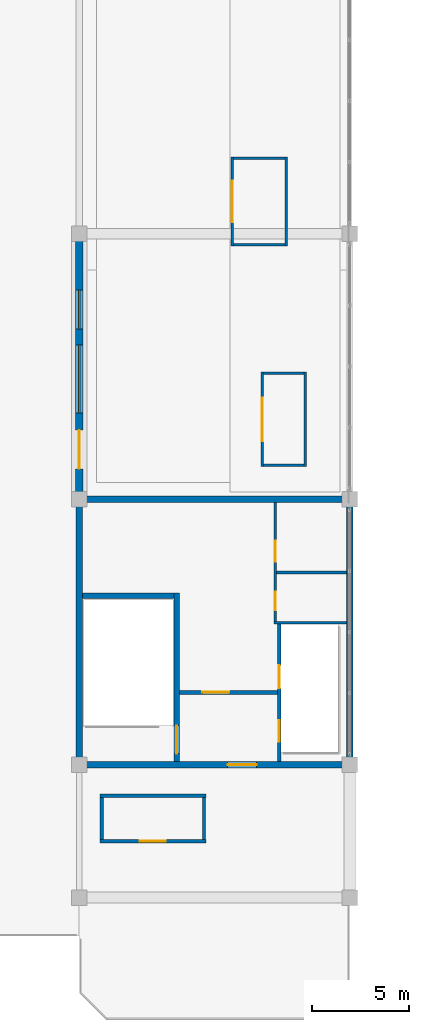
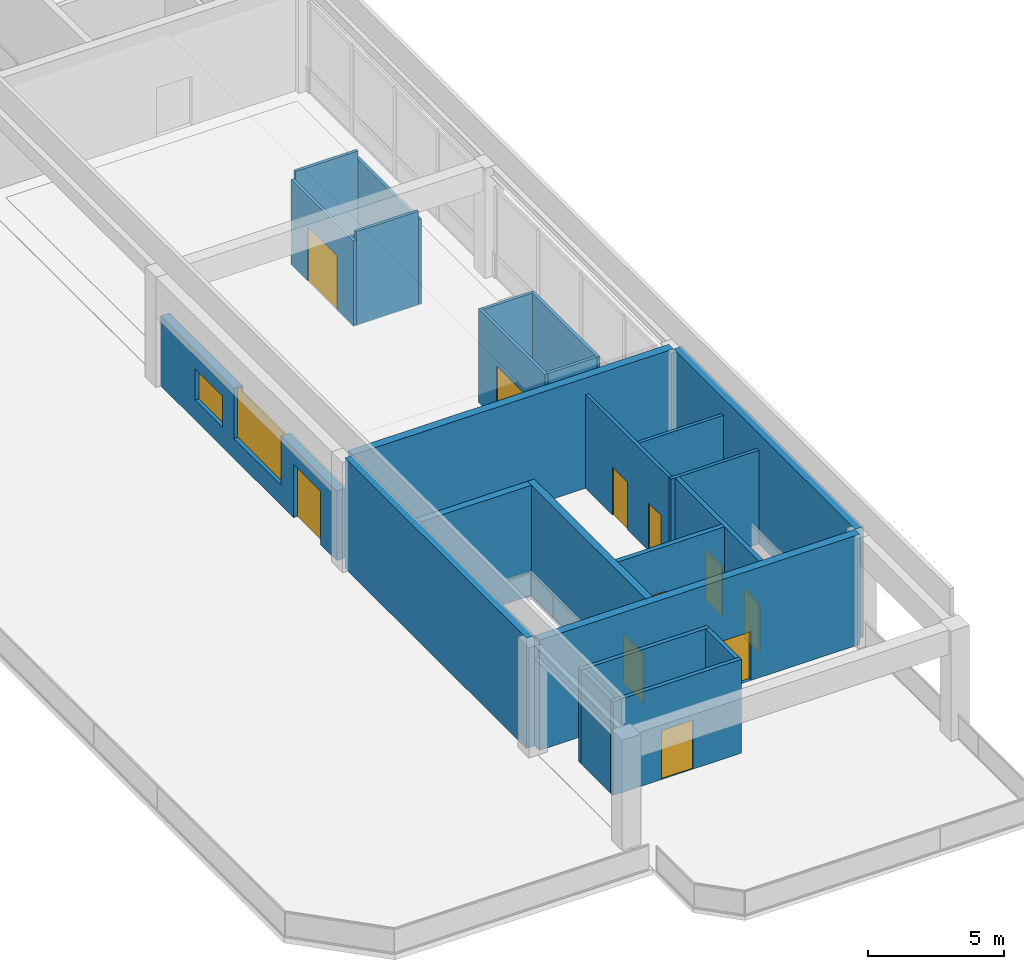
# One storey, part 99 of 113: 24 walls, 11 doors, 2 windows, 13 openings.
"""IFC4 building model written with IfcOpenShell, lengths in metres."""

from ifc_helpers import new_model, si_unit, direction, frame, frame_2d, origin, place, context, subcontext, project, spatial, rectangle, extrude, material, layer, layer_set, type_object, element, fill, save


model = new_model("IFC4")

# Units and contexts
model_context = context("Model", 3, precision=1e-05, world=origin(), true_north=direction((0.0, 1.0)))
body_context = subcontext(model_context, "Body", "Model", "MODEL_VIEW")
ifc_project = project(units=[si_unit("LENGTHUNIT", "METRE"), si_unit("AREAUNIT", "SQUARE_METRE"), si_unit("VOLUMEUNIT", "CUBIC_METRE"), si_unit("PLANEANGLEUNIT", "RADIAN"), si_unit("MASSUNIT", "GRAM", prefix="KILO")], contexts=[model_context])

# Site, building, storey
site_placement = place(None, origin())
site = spatial("IfcSite", under=ifc_project, at=site_placement, CompositionType="ELEMENT")
building_placement = place(site_placement, origin())
building = spatial("IfcBuilding", under=site, at=building_placement, Name="Linyun Crest Stadium", CompositionType="ELEMENT")
storey_placement = place(building_placement, frame((0.0, 0.0, 26.39990234375)))
storey = spatial("IfcBuildingStorey", under=building, at=storey_placement, Name="L06", CompositionType="ELEMENT", Elevation=26.39990234375)

# Walls
ifc_material_1 = material(Name="Concrete C50", Category="concrete")
ifc_layer_1 = layer(ifc_material_1, 0.35009765625)
ifc_layer_set_1 = layer_set([ifc_layer_1], Name="Concrete C50")
wall_type_1 = type_object("IfcWallType", Name="CW01", PredefinedType="SHEAR", material=ifc_layer_set_1)
for number, where, z_axis, x_axis, name in (
    (1, (-84.0, -38.949951171875, 0.0), (0.0, 0.0, 1.0), (0.0, 1.0, 0.0), "Core shear wall CW01 CORE-W1 L06.1"),
    (2, (-70.0, -38.949951171875, 0.0), (0.0, 0.0, 1.0), (0.0, 1.0, 0.0), "Core shear wall CW01 CORE-W1 L06.2"),
):
    element("IfcWall", number, at=place(storey_placement, frame(where, z_axis=z_axis, x_axis=x_axis)), inside=storey, type_object=wall_type_1, Name=name, PredefinedType="SHEAR", context=body_context, shape_type="SweptSolid", body=[
        extrude(rectangle(XDim=13.39990234375, YDim=0.35009765625, at=frame_2d((6.699951171875, 0.0))), origin(), (0.0, 0.0, 1.0), 4.965087890625),
    ])

# Wall, opening, door
wall_1_placement = place(storey_placement, frame((-83.824951171875, -39.125, 0.0), z_axis=(0.0, 0.0, 1.0), x_axis=(1.0, 0.0, 0.0)))
wall_1 = element("IfcWall", 3, at=wall_1_placement, inside=storey, type_object=wall_type_1, Name="Core shear wall CW01 CORE-W1 L06.3", PredefinedType="SHEAR", context=body_context, shape_type="SweptSolid", body=[
    extrude(rectangle(XDim=13.64990234375, YDim=0.35009765625, at=frame_2d((6.824951171875, 0.0))), origin(), (0.0, 0.0, 1.0), 4.965087890625),
])
opening_1_placement = place(wall_1_placement, frame((7.508056640625, 0.0, 0.0)))
opening_1 = element("IfcOpeningElement", 4, at=opening_1_placement, cuts=wall_1, Name="Opening D-L06-043", PredefinedType="OPENING", context=body_context, shape_type="SweptSolid", body=[
    extrude(rectangle(XDim=1.5, YDim=2.199951171875, at=frame_2d((0.75, 1.10009765625))), frame((0.0, 0.18505859375, 0.0), z_axis=(0.0, -1.0, 0.0), x_axis=(1.0, 0.0, 0.0)), (0.0, 0.0, 1.0), 0.3701171875),
])
ifc_material_2 = material(Name="Galvanized steel Class A fire door", Category="steel")
ifc_layer_2 = layer(ifc_material_2, 0.054931640625)
ifc_layer_set_2 = layer_set([ifc_layer_2], Name="Galvanized steel Class A fire door")
door_type_1 = type_object("IfcDoorType", Name="FD01", OperationType="NOTDEFINED", PredefinedType="DOOR", material=ifc_layer_set_2)
door_1_placement = place(opening_1_placement, origin())
door_1 = element("IfcDoor", 5, at=door_1_placement, inside=storey, type_object=door_type_1, Name="Door D-L06-043", OperationType="SINGLE_SWING_LEFT", OverallHeight=2.199951171875, OverallWidth=1.5, PredefinedType="DOOR", context=body_context, shape_type="SweptSolid", body=[
    extrude(rectangle(XDim=1.5, YDim=2.199951171875, at=frame_2d((0.75, 1.10009765625))), frame((0.0, 0.02490234375, 0.0), z_axis=(0.0, -1.0, 0.0), x_axis=(1.0, 0.0, 0.0)), (0.0, 0.0, 1.0), 0.050048828125),
])
fill(opening_1, door_1)

# Wall
wall_2_placement = place(storey_placement, frame((-83.824951171875, -25.375, 0.0), z_axis=(0.0, 0.0, 1.0), x_axis=(1.0, 0.0, 0.0)))
element("IfcWall", 6, at=wall_2_placement, inside=storey, type_object=wall_type_1, Name="Core shear wall CW01 CORE-W1 L06.4", PredefinedType="SHEAR", context=body_context, shape_type="SweptSolid", body=[
    extrude(rectangle(XDim=13.64990234375, YDim=0.35009765625, at=frame_2d((6.824951171875, 0.0))), origin(), (0.0, 0.0, 1.0), 4.965087890625),
])

# Wall, openings, door, windows
ifc_material_3 = material(Name="Concrete C40 acoustic broadcast envelope wall", Category="concrete")
ifc_layer_3 = layer(ifc_material_3, 0.389892578125)
ifc_layer_set_3 = layer_set([ifc_layer_3], Name="Concrete C40 acoustic broadcast envelope wall")
wall_type_2 = type_object("IfcWallType", Name="EW07", PredefinedType="SOLIDWALL", material=ifc_layer_set_3)
wall_3_placement = place(storey_placement, frame((-84.0, -25.0, 0.0), z_axis=(0.0, 0.0, 1.0), x_axis=(0.0, 1.0, 0.0)))
wall_3 = element("IfcWall", 7, at=wall_3_placement, inside=storey, type_object=wall_type_2, Name="Exterior wall EW07 L06 71", PredefinedType="SOLIDWALL", context=body_context, shape_type="SweptSolid", body=[
    extrude(rectangle(XDim=13.0, YDim=0.389892578125, at=frame_2d((6.5, 0.0))), origin(), (0.0, 0.0, 1.0), 3.14013671875),
])
opening_2_placement = place(wall_3_placement, frame((1.199951171875, 0.0, 0.0)))
opening_2 = element("IfcOpeningElement", 8, at=opening_2_placement, cuts=wall_3, Name="Opening BD-L06-10", PredefinedType="OPENING", context=body_context, shape_type="SweptSolid", body=[
    extrude(rectangle(XDim=2.0, YDim=2.39990234375, at=frame_2d((1.0, 1.199951171875))), frame((0.0, 0.204833984375, 0.0), z_axis=(0.0, -1.0, 0.0), x_axis=(1.0, 0.0, 0.0)), (0.0, 0.0, 1.0), 0.409912109375),
])
opening_3_placement = place(wall_3_placement, frame((4.10009765625, 0.0, 0.89990234375)))
opening_3 = element("IfcOpeningElement", 9, at=opening_3_placement, cuts=wall_3, Name="Opening WN11", PredefinedType="OPENING", context=body_context, shape_type="SweptSolid", body=[
    extrude(rectangle(XDim=3.5, YDim=2.25, at=frame_2d((1.75, 1.125))), frame((0.0, 0.204833984375, 0.0), z_axis=(0.0, -1.0, 0.0), x_axis=(1.0, 0.0, 0.0)), (0.0, 0.0, 1.0), 0.409912109375),
])
opening_4_placement = place(wall_3_placement, frame((8.449951171875, 0.0, 0.89990234375)))
opening_4 = element("IfcOpeningElement", 10, at=opening_4_placement, cuts=wall_3, Name="Opening WN12", PredefinedType="OPENING", context=body_context, shape_type="SweptSolid", body=[
    extrude(rectangle(XDim=2.0, YDim=1.39990234375, at=frame_2d((1.0, 0.699951171875))), frame((0.0, 0.204833984375, 0.0), z_axis=(0.0, -1.0, 0.0), x_axis=(1.0, 0.0, 0.0)), (0.0, 0.0, 1.0), 0.409912109375),
])
ifc_material_4 = material(Name="Thermally broken aluminium and low-E glass", Category="aluminium")
ifc_layer_4 = layer(ifc_material_4, 0.054931640625)
ifc_layer_set_4 = layer_set([ifc_layer_4], Name="Thermally broken aluminium and low-E glass")
door_type_2 = type_object("IfcDoorType", Name="BD02", OperationType="NOTDEFINED", PredefinedType="DOOR", material=ifc_layer_set_4)
door_2_placement = place(opening_2_placement, origin())
door_2 = element("IfcDoor", 11, at=door_2_placement, inside=storey, type_object=door_type_2, Name="Terrace door BD-L06-10", OperationType="SINGLE_SWING_RIGHT", OverallHeight=2.39990234375, OverallWidth=2.0, PredefinedType="DOOR", context=body_context, shape_type="SweptSolid", body=[
    extrude(rectangle(XDim=2.0, YDim=2.39990234375, at=frame_2d((1.0, 1.199951171875))), frame((0.0, 0.02490234375, 0.0), z_axis=(0.0, -1.0, 0.0), x_axis=(1.0, 0.0, 0.0)), (0.0, 0.0, 1.0), 0.050048828125),
])
fill(opening_2, door_2)
ifc_material_5 = material(Name="Broadcast acoustic laminated triple glazing", Category="glass")
ifc_layer_5 = layer(ifc_material_5, 0.06494140625)
ifc_layer_set_5 = layer_set([ifc_layer_5], Name="Broadcast acoustic laminated triple glazing")
window_type_1 = type_object("IfcWindowType", Name="WN11", PartitioningType="SINGLE_PANEL", PredefinedType="WINDOW", material=ifc_layer_set_5)
window_1_placement = place(opening_3_placement, origin())
window_1 = element("IfcWindow", 12, at=window_1_placement, inside=storey, type_object=window_type_1, Name="Window WN11 L06 47", OverallHeight=2.25, OverallWidth=3.5, PartitioningType="SINGLE_PANEL", PredefinedType="WINDOW", context=body_context, shape_type="SweptSolid", body=[
    extrude(rectangle(XDim=3.5, YDim=2.25, at=frame_2d((1.75, 1.125))), frame((0.0, 0.030029296875, 0.0), z_axis=(0.0, -1.0, 0.0), x_axis=(1.0, 0.0, 0.0)), (0.0, 0.0, 1.0), 0.06005859375),
])
fill(opening_3, window_1)
ifc_material_6 = material(Name="Clerestory diffused daylight window")
ifc_layer_6 = layer(ifc_material_6, 0.06005859375)
ifc_layer_set_6 = layer_set([ifc_layer_6], Name="Clerestory diffused daylight window")
window_type_2 = type_object("IfcWindowType", Name="WN12", PartitioningType="SINGLE_PANEL", PredefinedType="WINDOW", material=ifc_layer_set_6)
window_2_placement = place(opening_4_placement, origin())
window_2 = element("IfcWindow", 13, at=window_2_placement, inside=storey, type_object=window_type_2, Name="Window WN12 L06 48", OverallHeight=1.39990234375, OverallWidth=2.0, PartitioningType="SINGLE_PANEL", PredefinedType="WINDOW", context=body_context, shape_type="SweptSolid", body=[
    extrude(rectangle(XDim=2.0, YDim=1.39990234375, at=frame_2d((1.0, 0.699951171875))), frame((0.0, 0.030029296875, 0.0), z_axis=(0.0, -1.0, 0.0), x_axis=(1.0, 0.0, 0.0)), (0.0, 0.0, 1.0), 0.06005859375),
])
fill(opening_4, window_2)

# Wall, opening, door
ifc_material_7 = material(Name="Autoclaved aerated concrete block with fireboard", Category="concrete")
ifc_layer_7 = layer(ifc_material_7, 0.199951171875)
ifc_layer_set_7 = layer_set([ifc_layer_7], Name="Autoclaved aerated concrete block with fireboard")
wall_type_3 = type_object("IfcWallType", Name="PW11", PredefinedType="PARTITIONING", material=ifc_layer_set_7)
wall_4_placement = place(storey_placement, frame((-78.800048828125, -35.375, 0.0), z_axis=(0.0, 0.0, 1.0), x_axis=(1.0, 0.0, 0.0)))
wall_4 = element("IfcWall", 14, at=wall_4_placement, inside=storey, type_object=wall_type_3, Name="Partition PW11 L06 19", PredefinedType="PARTITIONING", context=body_context, shape_type="SweptSolid", body=[
    extrude(rectangle(XDim=5.06005859375, YDim=0.199951171875, at=frame_2d((2.530029296875, 0.0))), origin(), (0.0, 0.0, 1.0), 4.22021484375),
])
opening_5_placement = place(wall_4_placement, frame((1.169921875, 0.0, 0.0)))
opening_5 = element("IfcOpeningElement", 15, at=opening_5_placement, cuts=wall_4, Name="Opening D-L06-045", PredefinedType="OPENING", context=body_context, shape_type="SweptSolid", body=[
    extrude(rectangle(XDim=1.39990234375, YDim=2.199951171875, at=frame_2d((0.699951171875, 1.10009765625))), frame((0.0, 0.10986328125, 0.0), z_axis=(0.0, -1.0, 0.0), x_axis=(1.0, 0.0, 0.0)), (0.0, 0.0, 1.0), 0.219970703125),
])
ifc_material_8 = material(Name="Galvanized steel Class B fire door", Category="steel")
ifc_layer_8 = layer(ifc_material_8, 0.054931640625)
ifc_layer_set_8 = layer_set([ifc_layer_8], Name="Galvanized steel Class B fire door")
door_type_3 = type_object("IfcDoorType", Name="FD03", OperationType="NOTDEFINED", PredefinedType="DOOR", material=ifc_layer_set_8)
door_3_placement = place(opening_5_placement, origin())
door_3 = element("IfcDoor", 16, at=door_3_placement, inside=storey, type_object=door_type_3, Name="Door D-L06-045", OperationType="SINGLE_SWING_LEFT", OverallHeight=2.199951171875, OverallWidth=1.39990234375, PredefinedType="DOOR", context=body_context, shape_type="SweptSolid", body=[
    extrude(rectangle(XDim=1.39990234375, YDim=2.199951171875, at=frame_2d((0.699951171875, 1.10009765625))), frame((0.0, 0.02490234375, 0.0), z_axis=(0.0, -1.0, 0.0), x_axis=(1.0, 0.0, 0.0)), (0.0, 0.0, 1.0), 0.050048828125),
])
fill(opening_5, door_3)

# Wall, openings, doors
ifc_material_9 = material(Name="Autoclaved aerated concrete block fire partition", Category="concrete")
ifc_layer_9 = layer(ifc_material_9, 0.179931640625)
ifc_layer_set_9 = layer_set([ifc_layer_9], Name="Autoclaved aerated concrete block fire partition")
wall_type_4 = type_object("IfcWallType", Name="PW12", PredefinedType="PARTITIONING", material=ifc_layer_set_9)
wall_5_placement = place(storey_placement, frame((-73.64990234375, -38.949951171875, 0.0), z_axis=(0.0, 0.0, 1.0), x_axis=(0.0, 1.0, 0.0)))
wall_5 = element("IfcWall", 17, at=wall_5_placement, inside=storey, type_object=wall_type_4, Name="Partition PW12 L06 20", PredefinedType="PARTITIONING", context=body_context, shape_type="SweptSolid", body=[
    extrude(rectangle(XDim=7.10498046875, YDim=0.179931640625, at=frame_2d((3.552490234375, 0.0))), origin(), (0.0, 0.0, 1.0), 4.22021484375),
])
opening_6_placement = place(wall_5_placement, frame((1.02490234375, 0.0, 0.0)))
opening_6 = element("IfcOpeningElement", 18, at=opening_6_placement, cuts=wall_5, Name="Opening LD013", PredefinedType="OPENING", context=body_context, shape_type="SweptSolid", body=[
    extrude(rectangle(XDim=1.10009765625, YDim=2.199951171875, at=frame_2d((0.550048828125, 1.10009765625))), frame((0.0, 0.099853515625, 0.0), z_axis=(0.0, -1.0, 0.0), x_axis=(1.0, 0.0, 0.0)), (0.0, 0.0, 1.0), 0.199951171875),
])
opening_7_placement = place(wall_5_placement, frame((3.77490234375, 0.0, 0.0)))
opening_7 = element("IfcOpeningElement", 19, at=opening_7_placement, cuts=wall_5, Name="Opening LD014", PredefinedType="OPENING", context=body_context, shape_type="SweptSolid", body=[
    extrude(rectangle(XDim=1.199951171875, YDim=2.25, at=frame_2d((0.60009765625, 1.125))), frame((0.0, 0.099853515625, 0.0), z_axis=(0.0, -1.0, 0.0), x_axis=(1.0, 0.0, 0.0)), (0.0, 0.0, 1.0), 0.199951171875),
])
ifc_material_10 = material(Name="Brushed stainless sliding lift door")
ifc_layer_10 = layer(ifc_material_10, 0.050048828125)
ifc_layer_set_10 = layer_set([ifc_layer_10], Name="Brushed stainless sliding lift door")
door_type_4 = type_object("IfcDoorType", Name="LD01", OperationType="NOTDEFINED", PredefinedType="DOOR", material=ifc_layer_set_10)
door_4_placement = place(opening_6_placement, origin())
door_4 = element("IfcDoor", 20, at=door_4_placement, inside=storey, type_object=door_type_4, Name="Lift landing door LD013", OperationType="DOUBLE_DOOR_SLIDING", OverallHeight=2.199951171875, OverallWidth=1.10009765625, PredefinedType="DOOR", context=body_context, shape_type="SweptSolid", body=[
    extrude(rectangle(XDim=1.10009765625, YDim=2.199951171875, at=frame_2d((0.550048828125, 1.10009765625))), frame((0.0, 0.02490234375, 0.0), z_axis=(0.0, -1.0, 0.0), x_axis=(1.0, 0.0, 0.0)), (0.0, 0.0, 1.0), 0.050048828125),
])
fill(opening_6, door_4)
ifc_material_11 = material(Name="Brushed stainless sliding lift door")
ifc_layer_11 = layer(ifc_material_11, 0.050048828125)
ifc_layer_set_11 = layer_set([ifc_layer_11], Name="Brushed stainless sliding lift door")
door_type_5 = type_object("IfcDoorType", Name="LD02", OperationType="NOTDEFINED", PredefinedType="DOOR", material=ifc_layer_set_11)
door_5_placement = place(opening_7_placement, origin())
door_5 = element("IfcDoor", 21, at=door_5_placement, inside=storey, type_object=door_type_5, Name="Lift landing door LD014", OperationType="DOUBLE_DOOR_SLIDING", OverallHeight=2.25, OverallWidth=1.199951171875, PredefinedType="DOOR", context=body_context, shape_type="SweptSolid", body=[
    extrude(rectangle(XDim=1.199951171875, YDim=2.25, at=frame_2d((0.60009765625, 1.125))), frame((0.0, 0.02490234375, 0.0), z_axis=(0.0, -1.0, 0.0), x_axis=(1.0, 0.0, 0.0)), (0.0, 0.0, 1.0), 0.050048828125),
])
fill(opening_7, door_5)

ifc_material_12 = material(Name="Moisture-resistant ceramic-tiled wet-room wall")
ifc_layer_12 = layer(ifc_material_12, 0.139892578125)
ifc_layer_set_12 = layer_set([ifc_layer_12], Name="Moisture-resistant ceramic-tiled wet-room wall")
wall_type_5 = type_object("IfcWallType", Name="PW15", PredefinedType="PARTITIONING", material=ifc_layer_set_12)
wall_6_placement = place(storey_placement, frame((-73.85009765625, -31.705078125, 0.0), z_axis=(0.0, 0.0, 1.0), x_axis=(0.0, 1.0, 0.0)))
wall_6 = element("IfcWall", 22, at=wall_6_placement, inside=storey, type_object=wall_type_5, Name="Partition PW15 L06 21", PredefinedType="PARTITIONING", context=body_context, shape_type="SweptSolid", body=[
    extrude(rectangle(XDim=6.155029296875, YDim=0.139892578125, at=frame_2d((3.07763671875, 0.0))), origin(), (0.0, 0.0, 1.0), 4.22021484375),
])
opening_8_placement = place(wall_6_placement, frame((0.580078125, 0.0, 0.0)))
opening_8 = element("IfcOpeningElement", 23, at=opening_8_placement, cuts=wall_6, Name="Opening D-L06-048", PredefinedType="OPENING", context=body_context, shape_type="SweptSolid", body=[
    extrude(rectangle(XDim=0.949951171875, YDim=2.14990234375, at=frame_2d((0.47509765625, 1.074951171875))), frame((0.0, 0.079833984375, 0.0), z_axis=(0.0, -1.0, 0.0), x_axis=(1.0, 0.0, 0.0)), (0.0, 0.0, 1.0), 0.159912109375),
])
opening_9_placement = place(wall_6_placement, frame((3.080078125, 0.0, 0.0)))
opening_9 = element("IfcOpeningElement", 24, at=opening_9_placement, cuts=wall_6, Name="Opening D-L06-049", PredefinedType="OPENING", context=body_context, shape_type="SweptSolid", body=[
    extrude(rectangle(XDim=1.10009765625, YDim=2.14990234375, at=frame_2d((0.550048828125, 1.074951171875))), frame((0.0, 0.079833984375, 0.0), z_axis=(0.0, -1.0, 0.0), x_axis=(1.0, 0.0, 0.0)), (0.0, 0.0, 1.0), 0.159912109375),
])
ifc_material_13 = material(Name="Moisture-resistant laminate leaf")
ifc_layer_13 = layer(ifc_material_13, 0.044921875)
ifc_layer_set_13 = layer_set([ifc_layer_13], Name="Moisture-resistant laminate leaf")
door_type_6 = type_object("IfcDoorType", Name="ID02", OperationType="NOTDEFINED", PredefinedType="DOOR", material=ifc_layer_set_13)
door_6_placement = place(opening_8_placement, origin())
door_6 = element("IfcDoor", 25, at=door_6_placement, inside=storey, type_object=door_type_6, Name="Door D-L06-048", OperationType="SINGLE_SWING_RIGHT", OverallHeight=2.14990234375, OverallWidth=0.949951171875, PredefinedType="DOOR", context=body_context, shape_type="SweptSolid", body=[
    extrude(rectangle(XDim=0.949951171875, YDim=2.14990234375, at=frame_2d((0.47509765625, 1.074951171875))), frame((0.0, 0.02490234375, 0.0), z_axis=(0.0, -1.0, 0.0), x_axis=(1.0, 0.0, 0.0)), (0.0, 0.0, 1.0), 0.050048828125),
])
fill(opening_8, door_6)
ifc_material_14 = material(Name="Moisture-resistant laminate leaf")
ifc_layer_14 = layer(ifc_material_14, 0.044921875)
ifc_layer_set_14 = layer_set([ifc_layer_14], Name="Moisture-resistant laminate leaf")
door_type_7 = type_object("IfcDoorType", Name="ID03", OperationType="NOTDEFINED", PredefinedType="DOOR", material=ifc_layer_set_14)
door_7_placement = place(opening_9_placement, origin())
door_7 = element("IfcDoor", 26, at=door_7_placement, inside=storey, type_object=door_type_7, Name="Door D-L06-049", OperationType="SINGLE_SWING_LEFT", OverallHeight=2.14990234375, OverallWidth=1.10009765625, PredefinedType="DOOR", context=body_context, shape_type="SweptSolid", body=[
    extrude(rectangle(XDim=1.10009765625, YDim=2.14990234375, at=frame_2d((0.550048828125, 1.074951171875))), frame((0.0, 0.02490234375, 0.0), z_axis=(0.0, -1.0, 0.0), x_axis=(1.0, 0.0, 0.0)), (0.0, 0.0, 1.0), 0.050048828125),
])
fill(opening_9, door_7)

# Walls
wall_7_placement = place(storey_placement, frame((-73.919921875, -31.77490234375, 0.0), z_axis=(0.0, 0.0, 1.0), x_axis=(1.0, 0.0, 0.0)))
element("IfcWall", 27, at=wall_7_placement, inside=storey, type_object=wall_type_5, Name="Enclosure partition PW15 L06 13", PredefinedType="PARTITIONING", context=body_context, shape_type="SweptSolid", body=[
    extrude(rectangle(XDim=3.744873046875, YDim=0.139892578125, at=frame_2d((1.87255859375, 0.0))), origin(), (0.0, 0.0, 1.0), 4.22021484375),
])
wall_8_placement = place(storey_placement, frame((-73.780029296875, -29.175048828125, 0.0), z_axis=(0.0, 0.0, 1.0), x_axis=(1.0, 0.0, 0.0)))
element("IfcWall", 28, at=wall_8_placement, inside=storey, type_object=wall_type_5, Name="Enclosure partition PW15 L06 14", PredefinedType="PARTITIONING", context=body_context, shape_type="SweptSolid", body=[
    extrude(rectangle(XDim=3.60498046875, YDim=0.139892578125, at=frame_2d((1.802490234375, 0.0))), origin(), (0.0, 0.0, 1.0), 4.22021484375),
])

# Wall, opening, door
ifc_material_15 = material(Name="Steel-stud hospitality suite partition", Category="steel")
ifc_layer_15 = layer(ifc_material_15, 0.125)
ifc_layer_set_15 = layer_set([ifc_layer_15], Name="Steel-stud hospitality suite partition")
wall_type_6 = type_object("IfcWallType", Name="PW17", PredefinedType="PARTITIONING", material=ifc_layer_set_15)
wall_9_placement = place(storey_placement, frame((-76.073974609375, -12.263916015625, 0.0), z_axis=(0.0, 0.0, 1.0), x_axis=(0.0, 1.0, 0.0)))
wall_9 = element("IfcWall", 29, at=wall_9_placement, inside=storey, type_object=wall_type_6, Name="Partition PW17 L06 248", PredefinedType="PARTITIONING", context=body_context, shape_type="SweptSolid", body=[
    extrude(rectangle(XDim=4.599853515625, YDim=0.125, at=frame_2d((2.2998046875, 0.0))), origin(), (0.0, 0.0, 1.0), 3.840087890625),
])
opening_10_placement = place(wall_9_placement, frame((1.22509765625, 0.0, 0.0)))
opening_10 = element("IfcOpeningElement", 30, at=opening_10_placement, cuts=wall_9, Name="Opening D-L06-511", PredefinedType="OPENING", context=body_context, shape_type="SweptSolid", body=[
    extrude(rectangle(XDim=2.14990234375, YDim=2.449951171875, at=frame_2d((1.074951171875, 1.22509765625))), frame((0.0, 0.072509765625, 0.0), z_axis=(0.0, -1.0, 0.0), x_axis=(1.0, 0.0, 0.0)), (0.0, 0.0, 1.0), 0.14501953125),
])
ifc_material_16 = material(Name="Anodized aluminium retail door", Category="aluminium")
ifc_layer_16 = layer(ifc_material_16, 0.054931640625)
ifc_layer_set_16 = layer_set([ifc_layer_16], Name="Anodized aluminium retail door")
door_type_8 = type_object("IfcDoorType", Name="ID18", OperationType="NOTDEFINED", PredefinedType="DOOR", material=ifc_layer_set_16)
door_8_placement = place(opening_10_placement, origin())
door_8 = element("IfcDoor", 31, at=door_8_placement, inside=storey, type_object=door_type_8, Name="Door D-L06-511", OperationType="DOUBLE_DOOR_SINGLE_SWING", OverallHeight=2.449951171875, OverallWidth=2.14990234375, PredefinedType="DOOR", context=body_context, shape_type="SweptSolid", body=[
    extrude(rectangle(XDim=2.14990234375, YDim=2.449951171875, at=frame_2d((1.074951171875, 1.22509765625))), frame((0.0, 0.02490234375, 0.0), z_axis=(0.0, -1.0, 0.0), x_axis=(1.0, 0.0, 0.0)), (0.0, 0.0, 1.0), 0.050048828125),
])
fill(opening_10, door_8)

# Walls
wall_10_placement = place(storey_placement, frame((-73.2939453125, -12.263916015625, 0.0), z_axis=(0.0, 0.0, 1.0), x_axis=(0.0, 1.0, 0.0)))
element("IfcWall", 32, at=wall_10_placement, inside=storey, type_object=wall_type_6, Name="Enclosure partition PW17 L06 460", PredefinedType="PARTITIONING", context=body_context, shape_type="SweptSolid", body=[
    extrude(rectangle(XDim=4.599853515625, YDim=0.125, at=frame_2d((2.2998046875, 0.0))), origin(), (0.0, 0.0, 1.0), 3.840087890625),
])
for number, where, z_axis, x_axis, name in (
    (33, (-76.010986328125, -12.200927734375, 0.0), (0.0, 0.0, 1.0), (1.0, 0.0, 0.0), "Enclosure partition PW17 L06 461"),
    (34, (-76.010986328125, -7.72705078125, 0.0), (0.0, 0.0, 1.0), (1.0, 0.0, 0.0), "Enclosure partition PW17 L06 462"),
):
    element("IfcWall", number, at=place(storey_placement, frame(where, z_axis=z_axis, x_axis=x_axis)), inside=storey, type_object=wall_type_6, Name=name, PredefinedType="PARTITIONING", context=body_context, shape_type="SweptSolid", body=[
        extrude(rectangle(XDim=2.654052734375, YDim=0.125, at=frame_2d((1.3271484375, 0.0))), origin(), (0.0, 0.0, 1.0), 4.22021484375),
    ])

# Wall, opening, door
ifc_material_17 = material(Name="Acoustic commentary booth partition")
ifc_layer_17 = layer(ifc_material_17, 0.1298828125)
ifc_layer_set_17 = layer_set([ifc_layer_17], Name="Acoustic commentary booth partition")
wall_type_7 = type_object("IfcWallType", Name="PW22", PredefinedType="PARTITIONING", material=ifc_layer_set_17)
wall_11_placement = place(storey_placement, frame((-74.51708984375, -23.68603515625, 0.0), z_axis=(0.0, 0.0, 1.0), x_axis=(0.0, 1.0, 0.0)))
wall_11 = element("IfcWall", 35, at=wall_11_placement, inside=storey, type_object=wall_type_7, Name="Partition PW22 L06 240", PredefinedType="PARTITIONING", context=body_context, shape_type="SweptSolid", body=[
    extrude(rectangle(XDim=4.89013671875, YDim=0.1298828125, at=frame_2d((2.445068359375, 0.0))), origin(), (0.0, 0.0, 1.0), 4.22021484375),
])
opening_11_placement = place(wall_11_placement, frame((1.320068359375, 0.0, 0.0)))
opening_11 = element("IfcOpeningElement", 36, at=opening_11_placement, cuts=wall_11, Name="Opening D-L06-503", PredefinedType="OPENING", context=body_context, shape_type="SweptSolid", body=[
    extrude(rectangle(XDim=2.25, YDim=2.449951171875, at=frame_2d((1.125, 1.22509765625))), frame((0.0, 0.074951171875, 0.0), z_axis=(0.0, -1.0, 0.0), x_axis=(1.0, 0.0, 0.0)), (0.0, 0.0, 1.0), 0.14990234375),
])
ifc_material_18 = material(Name="Double-leaf anodized aluminium door", Category="aluminium")
ifc_layer_18 = layer(ifc_material_18, 0.054931640625)
ifc_layer_set_18 = layer_set([ifc_layer_18], Name="Double-leaf anodized aluminium door")
door_type_9 = type_object("IfcDoorType", Name="ID10", OperationType="NOTDEFINED", PredefinedType="DOOR", material=ifc_layer_set_18)
door_9_placement = place(opening_11_placement, origin())
door_9 = element("IfcDoor", 37, at=door_9_placement, inside=storey, type_object=door_type_9, Name="Door D-L06-503", OperationType="DOUBLE_DOOR_SINGLE_SWING", OverallHeight=2.449951171875, OverallWidth=2.25, PredefinedType="DOOR", context=body_context, shape_type="SweptSolid", body=[
    extrude(rectangle(XDim=2.25, YDim=2.449951171875, at=frame_2d((1.125, 1.22509765625))), frame((0.0, 0.02490234375, 0.0), z_axis=(0.0, -1.0, 0.0), x_axis=(1.0, 0.0, 0.0)), (0.0, 0.0, 1.0), 0.050048828125),
])
fill(opening_11, door_9)

# Walls
wall_12_placement = place(storey_placement, frame((-72.297119140625, -23.68603515625, 0.0), z_axis=(0.0, 0.0, 1.0), x_axis=(0.0, 1.0, 0.0)))
element("IfcWall", 38, at=wall_12_placement, inside=storey, type_object=wall_type_7, Name="Enclosure partition PW22 L06 436", PredefinedType="PARTITIONING", context=body_context, shape_type="SweptSolid", body=[
    extrude(rectangle(XDim=4.89013671875, YDim=0.1298828125, at=frame_2d((2.445068359375, 0.0))), origin(), (0.0, 0.0, 1.0), 4.22021484375),
])
for number, where, z_axis, x_axis, name in (
    (39, (-74.451904296875, -23.62109375, 0.0), (0.0, 0.0, 1.0), (1.0, 0.0, 0.0), "Enclosure partition PW22 L06 437"),
    (40, (-74.451904296875, -18.861083984375, 0.0), (0.0, 0.0, 1.0), (1.0, 0.0, 0.0), "Enclosure partition PW22 L06 438"),
):
    element("IfcWall", number, at=place(storey_placement, frame(where, z_axis=z_axis, x_axis=x_axis)), inside=storey, type_object=wall_type_7, Name=name, PredefinedType="PARTITIONING", context=body_context, shape_type="SweptSolid", body=[
        extrude(rectangle(XDim=2.08984375, YDim=0.1298828125, at=frame_2d((1.044921875, 0.0))), origin(), (0.0, 0.0, 1.0), 4.22021484375),
    ])

# Wall, opening, door
ifc_material_19 = material(Name="Concourse concession fire-rated masonry wall", Category="masonry")
ifc_layer_19 = layer(ifc_material_19, 0.175048828125)
ifc_layer_set_19 = layer_set([ifc_layer_19], Name="Concourse concession fire-rated masonry wall")
wall_type_8 = type_object("IfcWallType", Name="PW24", PredefinedType="PARTITIONING", material=ifc_layer_set_19)
wall_13_placement = place(storey_placement, frame((-77.450927734375, -43.0810546875, 0.0), z_axis=(0.0, 0.0, 1.0), x_axis=(-1.0, 0.0, 0.0)))
wall_13 = element("IfcWall", 41, at=wall_13_placement, inside=storey, type_object=wall_type_8, Name="Partition PW24 L06 242", PredefinedType="PARTITIONING", context=body_context, shape_type="SweptSolid", body=[
    extrude(rectangle(XDim=5.469970703125, YDim=0.175048828125, at=frame_2d((2.73486328125, 0.0))), origin(), (0.0, 0.0, 1.0), 4.22021484375),
])
opening_12_placement = place(wall_13_placement, frame((2.06005859375, 0.0, 0.0)))
opening_12 = element("IfcOpeningElement", 42, at=opening_12_placement, cuts=wall_13, Name="Opening D-L06-505", PredefinedType="OPENING", context=body_context, shape_type="SweptSolid", body=[
    extrude(rectangle(XDim=1.35009765625, YDim=2.199951171875, at=frame_2d((0.675048828125, 1.10009765625))), frame((0.0, 0.097412109375, 0.0), z_axis=(0.0, -1.0, 0.0), x_axis=(1.0, 0.0, 0.0)), (0.0, 0.0, 1.0), 0.195068359375),
])
ifc_material_20 = material(Name="Wide hospital-grade hygienic door")
ifc_layer_20 = layer(ifc_material_20, 0.050048828125)
ifc_layer_set_20 = layer_set([ifc_layer_20], Name="Wide hospital-grade hygienic door")
door_type_10 = type_object("IfcDoorType", Name="ID12", OperationType="NOTDEFINED", PredefinedType="DOOR", material=ifc_layer_set_20)
door_10_placement = place(opening_12_placement, origin())
door_10 = element("IfcDoor", 43, at=door_10_placement, inside=storey, type_object=door_type_10, Name="Door D-L06-505", OperationType="SINGLE_SWING_LEFT", OverallHeight=2.199951171875, OverallWidth=1.35009765625, PredefinedType="DOOR", context=body_context, shape_type="SweptSolid", body=[
    extrude(rectangle(XDim=1.35009765625, YDim=2.199951171875, at=frame_2d((0.675048828125, 1.10009765625))), frame((0.0, 0.02490234375, 0.0), z_axis=(0.0, -1.0, 0.0), x_axis=(1.0, 0.0, 0.0)), (0.0, 0.0, 1.0), 0.050048828125),
])
fill(opening_12, door_10)

# Walls
wall_14_placement = place(storey_placement, frame((-82.9208984375, -40.720947265625, 0.0), z_axis=(0.0, 0.0, 1.0), x_axis=(1.0, 0.0, 0.0)))
element("IfcWall", 44, at=wall_14_placement, inside=storey, type_object=wall_type_8, Name="Enclosure partition PW24 L06 442", PredefinedType="PARTITIONING", context=body_context, shape_type="SweptSolid", body=[
    extrude(rectangle(XDim=5.469970703125, YDim=0.175048828125, at=frame_2d((2.73486328125, 0.0))), origin(), (0.0, 0.0, 1.0), 4.22021484375),
])
for number, where, z_axis, x_axis, name in (
    (45, (-82.8330078125, -42.992919921875, 0.0), (0.0, 0.0, 1.0), (0.0, 1.0, 0.0), "Enclosure partition PW24 L06 443"),
    (46, (-77.5390625, -42.992919921875, 0.0), (0.0, 0.0, 1.0), (0.0, 1.0, 0.0), "Enclosure partition PW24 L06 444"),
):
    element("IfcWall", number, at=place(storey_placement, frame(where, z_axis=z_axis, x_axis=x_axis)), inside=storey, type_object=wall_type_8, Name=name, PredefinedType="PARTITIONING", context=body_context, shape_type="SweptSolid", body=[
        extrude(rectangle(XDim=2.183837890625, YDim=0.175048828125, at=frame_2d((1.091796875, 0.0))), origin(), (0.0, 0.0, 1.0), 4.22021484375),
    ])

# Wall, opening, door
ifc_material_21 = material(Name="Concrete C50", Category="concrete")
ifc_layer_21 = layer(ifc_material_21, 0.300048828125)
ifc_layer_set_21 = layer_set([ifc_layer_21], Name="Concrete C50")
wall_type_9 = type_object("IfcWallType", Name="SW01", PredefinedType="SHEAR", material=ifc_layer_set_21)
wall_15_placement = place(storey_placement, frame((-78.949951171875, -38.949951171875, 0.0), z_axis=(0.0, 0.0, 1.0), x_axis=(0.0, 1.0, 0.0)))
wall_15 = element("IfcWall", 47, at=wall_15_placement, inside=storey, type_object=wall_type_9, Name="Core stair east bearing wall SW01 1 L06", PredefinedType="SHEAR", context=body_context, shape_type="SweptSolid", body=[
    extrude(rectangle(XDim=8.724853515625, YDim=0.300048828125, at=frame_2d((4.3623046875, 0.0))), origin(), (0.0, 0.0, 1.0), 4.965087890625),
])
opening_13_placement = place(wall_15_placement, frame((0.39501953125, 0.0, 0.0)))
opening_13 = element("IfcOpeningElement", 48, at=opening_13_placement, cuts=wall_15, Name="Opening D-L06-044", PredefinedType="OPENING", context=body_context, shape_type="SweptSolid", body=[
    extrude(rectangle(XDim=1.449951171875, YDim=2.199951171875, at=frame_2d((0.72509765625, 1.10009765625))), frame((0.0, 0.159912109375, 0.0), z_axis=(0.0, -1.0, 0.0), x_axis=(1.0, 0.0, 0.0)), (0.0, 0.0, 1.0), 0.320068359375),
])
ifc_material_22 = material(Name="Galvanized steel Class A fire door", Category="steel")
ifc_layer_22 = layer(ifc_material_22, 0.054931640625)
ifc_layer_set_22 = layer_set([ifc_layer_22], Name="Galvanized steel Class A fire door")
door_type_11 = type_object("IfcDoorType", Name="FD02", OperationType="NOTDEFINED", PredefinedType="DOOR", material=ifc_layer_set_22)
door_11_placement = place(opening_13_placement, origin())
door_11 = element("IfcDoor", 49, at=door_11_placement, inside=storey, type_object=door_type_11, Name="Door D-L06-044", OperationType="SINGLE_SWING_RIGHT", OverallHeight=2.199951171875, OverallWidth=1.449951171875, PredefinedType="DOOR", context=body_context, shape_type="SweptSolid", body=[
    extrude(rectangle(XDim=1.449951171875, YDim=2.199951171875, at=frame_2d((0.72509765625, 1.10009765625))), frame((0.0, 0.02490234375, 0.0), z_axis=(0.0, -1.0, 0.0), x_axis=(1.0, 0.0, 0.0)), (0.0, 0.0, 1.0), 0.050048828125),
])
fill(opening_13, door_11)

# Wall
wall_16_placement = place(storey_placement, frame((-83.824951171875, -30.375, 0.0), z_axis=(0.0, 0.0, 1.0), x_axis=(1.0, 0.0, 0.0)))
element("IfcWall", 50, at=wall_16_placement, inside=storey, type_object=wall_type_9, Name="Core stair bearing wall SW01 1 L06", PredefinedType="SHEAR", context=body_context, shape_type="SweptSolid", body=[
    extrude(rectangle(XDim=4.724853515625, YDim=0.300048828125, at=frame_2d((2.3623046875, 0.0))), origin(), (0.0, 0.0, 1.0), 4.965087890625),
])

save(model, "model.ifc")
